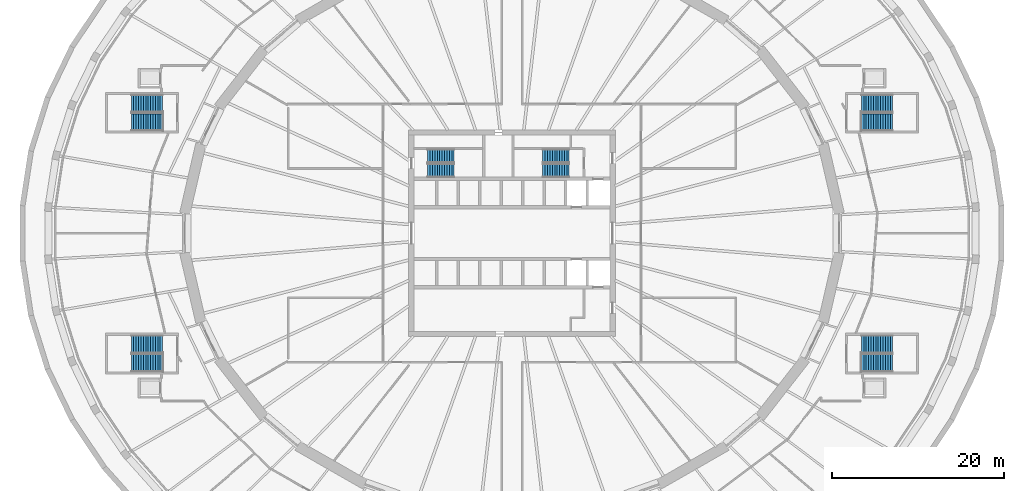
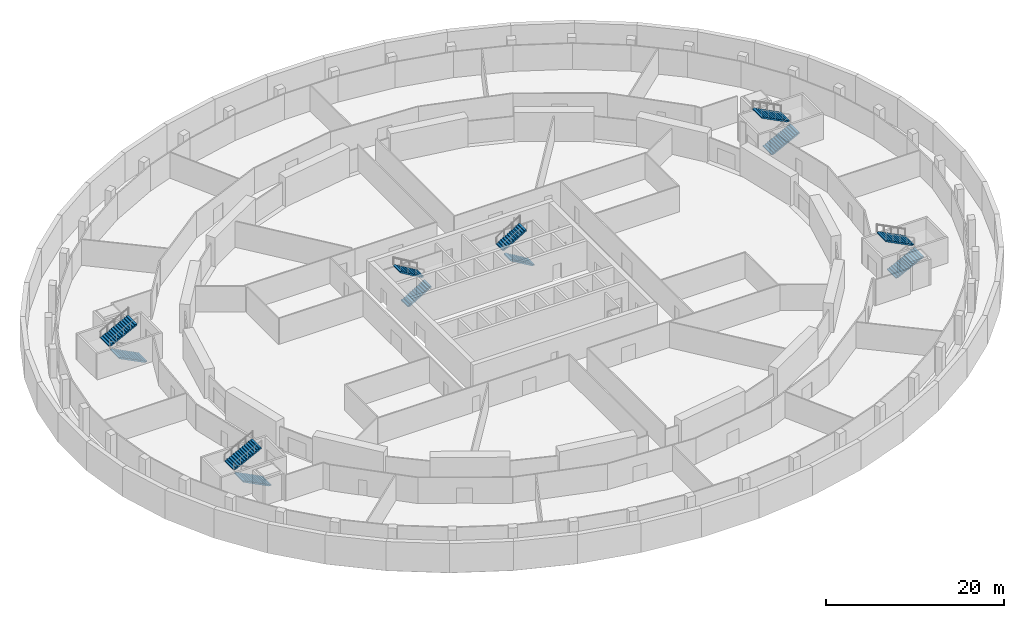
# One storey, part 12 of 14: 12 stair flights, 6 elements without a shape of their own.
"""IFC4 building model written with IfcOpenShell, lengths in metres."""

from ifc_helpers import new_model, si_unit, direction, frame, origin, place, context, subcontext, project, spatial, polyline, outline, extrude, material, type_object, element, aggregate, save


model = new_model("IFC4")

# Units and contexts
model_context = context("Model", 3, precision=1e-05, world=origin(), true_north=direction((0.0, 1.0)))
body_context = subcontext(model_context, "Body", "Model", "MODEL_VIEW")
ifc_project = project(units=[si_unit("LENGTHUNIT", "METRE"), si_unit("AREAUNIT", "SQUARE_METRE"), si_unit("VOLUMEUNIT", "CUBIC_METRE"), si_unit("PLANEANGLEUNIT", "RADIAN"), si_unit("MASSUNIT", "GRAM", prefix="KILO")], contexts=[model_context])

# Site, building, storey
site_placement = place(None, origin())
site = spatial("IfcSite", under=ifc_project, at=site_placement, CompositionType="ELEMENT")
building_placement = place(site_placement, origin())
building = spatial("IfcBuilding", under=site, at=building_placement, Name="Halqa Exchange Tower", CompositionType="ELEMENT")
storey_placement = place(building_placement, frame((0.0, 0.0, -4.0)))
storey = spatial("IfcBuildingStorey", under=building, at=storey_placement, Name="B1", CompositionType="ELEMENT", Elevation=-4.0)

# Stair, stair flights
ifc_material = material(Name="Concrete C30/37", Category="concrete")
stair_type_1 = type_object("IfcStairType", Name="Exit stair 1500 wide", PredefinedType="HALF_TURN_STAIR", material=ifc_material)
stair_1_placement = place(storey_placement, origin())
stair_1 = element("IfcStair", 1, at=stair_1_placement, inside=storey, type_object=stair_type_1, Name="Exit stair ST1", PredefinedType="HALF_TURN_STAIR")
stair_flight_type_1 = type_object("IfcStairFlightType", Name="Stair flight 1500 wide", PredefinedType="STRAIGHT", material=ifc_material)
stair_flight_1_placement = place(storey_placement, frame((-9.800048828125, 7.25, 0.0), z_axis=(0.0, 0.0, 1.0), x_axis=(1.0, 0.0, 0.0)))
stair_flight_1 = element("IfcStairFlight", 2, at=stair_flight_1_placement, type_object=stair_flight_type_1, Name="ST1 flight 1", NumberOfRisers=12, NumberOfTreads=11, PredefinedType="STRAIGHT", RiserHeight=0.166666667, TreadLength=0.28, context=body_context, shape_type="SweptSolid", body=[
    extrude(outline(polyline([(0.0, 0.0), (0.0, 0.166748046875), (0.280029296875, 0.166748046875), (0.280029296875, 0.333251953125), (0.56005859375, 0.333251953125), (0.56005859375, 0.5), (0.840087890625, 0.5), (0.840087890625, 0.666748046875), (1.1201171875, 0.666748046875), (1.1201171875, 0.833251953125), (1.39990234375, 0.833251953125), (1.39990234375, 1.0), (1.679931640625, 1.0), (1.679931640625, 1.166748046875), (1.9599609375, 1.166748046875), (1.9599609375, 1.333251953125), (2.239990234375, 1.333251953125), (2.239990234375, 1.5), (2.52001953125, 1.5), (2.52001953125, 1.666748046875), (2.800048828125, 1.666748046875), (2.800048828125, 1.833251953125), (3.080078125, 1.833251953125), (3.080078125, 2.0), (3.080078125, 1.658935546875), (0.29296875, 0.0), (0.0, 0.0)])), frame((0.0, 0.75, 0.0), z_axis=(0.0, -1.0, 0.0), x_axis=(1.0, 0.0, 0.0)), (0.0, 0.0, 1.0), 1.5),
])
stair_flight_2_placement = place(storey_placement, frame((-6.719970703125, 9.0, 2.0), z_axis=(0.0, 0.0, 1.0), x_axis=(-1.0, 0.0, 0.0)))
stair_flight_2 = element("IfcStairFlight", 3, at=stair_flight_2_placement, type_object=stair_flight_type_1, Name="ST1 flight 2", NumberOfRisers=12, NumberOfTreads=11, PredefinedType="STRAIGHT", RiserHeight=0.166666667, TreadLength=0.28, context=body_context, shape_type="SweptSolid", body=[
    extrude(outline(polyline([(0.0, 0.0), (0.0, 0.166748046875), (0.280029296875, 0.166748046875), (0.280029296875, 0.333251953125), (0.56005859375, 0.333251953125), (0.56005859375, 0.5), (0.840087890625, 0.5), (0.840087890625, 0.666748046875), (1.1201171875, 0.666748046875), (1.1201171875, 0.833251953125), (1.39990234375, 0.833251953125), (1.39990234375, 1.0), (1.679931640625, 1.0), (1.679931640625, 1.166748046875), (1.9599609375, 1.166748046875), (1.9599609375, 1.333251953125), (2.239990234375, 1.333251953125), (2.239990234375, 1.5), (2.52001953125, 1.5), (2.52001953125, 1.666748046875), (2.800048828125, 1.666748046875), (2.800048828125, 1.833251953125), (3.080078125, 1.833251953125), (3.080078125, 2.0), (3.080078125, 1.658935546875), (0.29296875, 0.0), (0.0, 0.0)])), frame((0.0, 0.75, 0.0), z_axis=(0.0, -1.0, 0.0), x_axis=(1.0, 0.0, 0.0)), (0.0, 0.0, 1.0), 1.5),
])
aggregate(stair_1, [stair_flight_1, stair_flight_2])

stair_2_placement = place(storey_placement, origin())
stair_2 = element("IfcStair", 4, at=stair_2_placement, inside=storey, type_object=stair_type_1, Name="Exit stair ST2", PredefinedType="HALF_TURN_STAIR")
stair_flight_3_placement = place(storey_placement, frame((6.64990234375, 7.25, 0.0), z_axis=(0.0, 0.0, 1.0), x_axis=(-1.0, 0.0, 0.0)))
stair_flight_3 = element("IfcStairFlight", 5, at=stair_flight_3_placement, type_object=stair_flight_type_1, Name="ST2 flight 1", NumberOfRisers=12, NumberOfTreads=11, PredefinedType="STRAIGHT", RiserHeight=0.166666667, TreadLength=0.28, context=body_context, shape_type="SweptSolid", body=[
    extrude(outline(polyline([(0.0, 0.0), (0.0, 0.166748046875), (0.280029296875, 0.166748046875), (0.280029296875, 0.333251953125), (0.56005859375, 0.333251953125), (0.56005859375, 0.5), (0.840087890625, 0.5), (0.840087890625, 0.666748046875), (1.1201171875, 0.666748046875), (1.1201171875, 0.833251953125), (1.39990234375, 0.833251953125), (1.39990234375, 1.0), (1.679931640625, 1.0), (1.679931640625, 1.166748046875), (1.9599609375, 1.166748046875), (1.9599609375, 1.333251953125), (2.239990234375, 1.333251953125), (2.239990234375, 1.5), (2.52001953125, 1.5), (2.52001953125, 1.666748046875), (2.800048828125, 1.666748046875), (2.800048828125, 1.833251953125), (3.080078125, 1.833251953125), (3.080078125, 2.0), (3.080078125, 1.658935546875), (0.29296875, 0.0), (0.0, 0.0)])), frame((0.0, 0.75, 0.0), z_axis=(0.0, -1.0, 0.0), x_axis=(1.0, 0.0, 0.0)), (0.0, 0.0, 1.0), 1.5),
])
stair_flight_4_placement = place(storey_placement, frame((3.570068359375, 9.0, 2.0), z_axis=(0.0, 0.0, 1.0), x_axis=(1.0, 0.0, 0.0)))
stair_flight_4 = element("IfcStairFlight", 6, at=stair_flight_4_placement, type_object=stair_flight_type_1, Name="ST2 flight 2", NumberOfRisers=12, NumberOfTreads=11, PredefinedType="STRAIGHT", RiserHeight=0.166666667, TreadLength=0.28, context=body_context, shape_type="SweptSolid", body=[
    extrude(outline(polyline([(0.0, 0.0), (0.0, 0.166748046875), (0.280029296875, 0.166748046875), (0.280029296875, 0.333251953125), (0.56005859375, 0.333251953125), (0.56005859375, 0.5), (0.840087890625, 0.5), (0.840087890625, 0.666748046875), (1.1201171875, 0.666748046875), (1.1201171875, 0.833251953125), (1.39990234375, 0.833251953125), (1.39990234375, 1.0), (1.679931640625, 1.0), (1.679931640625, 1.166748046875), (1.9599609375, 1.166748046875), (1.9599609375, 1.333251953125), (2.239990234375, 1.333251953125), (2.239990234375, 1.5), (2.52001953125, 1.5), (2.52001953125, 1.666748046875), (2.800048828125, 1.666748046875), (2.800048828125, 1.833251953125), (3.080078125, 1.833251953125), (3.080078125, 2.0), (3.080078125, 1.658935546875), (0.29296875, 0.0), (0.0, 0.0)])), frame((0.0, 0.75, 0.0), z_axis=(0.0, -1.0, 0.0), x_axis=(1.0, 0.0, 0.0)), (0.0, 0.0, 1.0), 1.5),
])
aggregate(stair_2, [stair_flight_3, stair_flight_4])

stair_type_2 = type_object("IfcStairType", Name="Exit stair 2000 wide", PredefinedType="HALF_TURN_STAIR", material=ifc_material)
stair_3_placement = place(storey_placement, origin())
stair_3 = element("IfcStair", 7, at=stair_3_placement, inside=storey, type_object=stair_type_2, Name="Exit stair SS1", PredefinedType="HALF_TURN_STAIR")
stair_flight_type_2 = type_object("IfcStairFlightType", Name="Stair flight 2000 wide", PredefinedType="STRAIGHT", material=ifc_material)
stair_flight_5_placement = place(storey_placement, frame((40.60009765625, 12.875, 0.0), z_axis=(0.0, 0.0, 1.0), x_axis=(1.0, 0.0, 0.0)))
stair_flight_5 = element("IfcStairFlight", 8, at=stair_flight_5_placement, type_object=stair_flight_type_2, Name="SS1 flight 1", NumberOfRisers=14, NumberOfTreads=13, PredefinedType="STRAIGHT", RiserHeight=0.142857143, TreadLength=0.28, context=body_context, shape_type="SweptSolid", body=[
    extrude(outline(polyline([(0.0, 0.0), (0.0, 0.142822265625), (0.280029296875, 0.142822265625), (0.280029296875, 0.28564453125), (0.56005859375, 0.28564453125), (0.56005859375, 0.428466796875), (0.840087890625, 0.428466796875), (0.840087890625, 0.571533203125), (1.1201171875, 0.571533203125), (1.1201171875, 0.71435546875), (1.39990234375, 0.71435546875), (1.39990234375, 0.857177734375), (1.679931640625, 0.857177734375), (1.679931640625, 1.0), (1.9599609375, 1.0), (1.9599609375, 1.142822265625), (2.239990234375, 1.142822265625), (2.239990234375, 1.28564453125), (2.52001953125, 1.28564453125), (2.52001953125, 1.428466796875), (2.800048828125, 1.428466796875), (2.800048828125, 1.571533203125), (3.080078125, 1.571533203125), (3.080078125, 1.71435546875), (3.360107421875, 1.71435546875), (3.360107421875, 1.857177734375), (3.639892578125, 1.857177734375), (3.639892578125, 2.0), (3.639892578125, 1.68896484375), (0.329833984375, 0.0), (0.0, 0.0)])), frame((0.0, 1.0, 0.0), z_axis=(0.0, -1.0, 0.0), x_axis=(1.0, 0.0, 0.0)), (0.0, 0.0, 1.0), 2.0),
])
stair_flight_6_placement = place(storey_placement, frame((44.239990234375, 15.125, 2.0), z_axis=(0.0, 0.0, 1.0), x_axis=(-1.0, 0.0, 0.0)))
stair_flight_6 = element("IfcStairFlight", 9, at=stair_flight_6_placement, type_object=stair_flight_type_2, Name="SS1 flight 2", NumberOfRisers=14, NumberOfTreads=13, PredefinedType="STRAIGHT", RiserHeight=0.142857143, TreadLength=0.28, context=body_context, shape_type="SweptSolid", body=[
    extrude(outline(polyline([(0.0, 0.0), (0.0, 0.142822265625), (0.280029296875, 0.142822265625), (0.280029296875, 0.28564453125), (0.56005859375, 0.28564453125), (0.56005859375, 0.428466796875), (0.840087890625, 0.428466796875), (0.840087890625, 0.571533203125), (1.1201171875, 0.571533203125), (1.1201171875, 0.71435546875), (1.39990234375, 0.71435546875), (1.39990234375, 0.857177734375), (1.679931640625, 0.857177734375), (1.679931640625, 1.0), (1.9599609375, 1.0), (1.9599609375, 1.142822265625), (2.239990234375, 1.142822265625), (2.239990234375, 1.28564453125), (2.52001953125, 1.28564453125), (2.52001953125, 1.428466796875), (2.800048828125, 1.428466796875), (2.800048828125, 1.571533203125), (3.080078125, 1.571533203125), (3.080078125, 1.71435546875), (3.360107421875, 1.71435546875), (3.360107421875, 1.857177734375), (3.639892578125, 1.857177734375), (3.639892578125, 2.0), (3.639892578125, 1.68896484375), (0.329833984375, 0.0), (0.0, 0.0)])), frame((0.0, 1.0, 0.0), z_axis=(0.0, -1.0, 0.0), x_axis=(1.0, 0.0, 0.0)), (0.0, 0.0, 1.0), 2.0),
])
aggregate(stair_3, [stair_flight_5, stair_flight_6])

stair_4_placement = place(storey_placement, origin())
stair_4 = element("IfcStair", 10, at=stair_4_placement, inside=storey, type_object=stair_type_2, Name="Exit stair SS2", PredefinedType="HALF_TURN_STAIR")
stair_flight_7_placement = place(storey_placement, frame((40.60009765625, -15.125, 0.0), z_axis=(0.0, 0.0, 1.0), x_axis=(1.0, 0.0, 0.0)))
stair_flight_7 = element("IfcStairFlight", 11, at=stair_flight_7_placement, type_object=stair_flight_type_2, Name="SS2 flight 1", NumberOfRisers=14, NumberOfTreads=13, PredefinedType="STRAIGHT", RiserHeight=0.142857143, TreadLength=0.28, context=body_context, shape_type="SweptSolid", body=[
    extrude(outline(polyline([(0.0, 0.0), (0.0, 0.142822265625), (0.280029296875, 0.142822265625), (0.280029296875, 0.28564453125), (0.56005859375, 0.28564453125), (0.56005859375, 0.428466796875), (0.840087890625, 0.428466796875), (0.840087890625, 0.571533203125), (1.1201171875, 0.571533203125), (1.1201171875, 0.71435546875), (1.39990234375, 0.71435546875), (1.39990234375, 0.857177734375), (1.679931640625, 0.857177734375), (1.679931640625, 1.0), (1.9599609375, 1.0), (1.9599609375, 1.142822265625), (2.239990234375, 1.142822265625), (2.239990234375, 1.28564453125), (2.52001953125, 1.28564453125), (2.52001953125, 1.428466796875), (2.800048828125, 1.428466796875), (2.800048828125, 1.571533203125), (3.080078125, 1.571533203125), (3.080078125, 1.71435546875), (3.360107421875, 1.71435546875), (3.360107421875, 1.857177734375), (3.639892578125, 1.857177734375), (3.639892578125, 2.0), (3.639892578125, 1.68896484375), (0.329833984375, 0.0), (0.0, 0.0)])), frame((0.0, 1.0, 0.0), z_axis=(0.0, -1.0, 0.0), x_axis=(1.0, 0.0, 0.0)), (0.0, 0.0, 1.0), 2.0),
])
stair_flight_8_placement = place(storey_placement, frame((44.239990234375, -12.875, 2.0), z_axis=(0.0, 0.0, 1.0), x_axis=(-1.0, 0.0, 0.0)))
stair_flight_8 = element("IfcStairFlight", 12, at=stair_flight_8_placement, type_object=stair_flight_type_2, Name="SS2 flight 2", NumberOfRisers=14, NumberOfTreads=13, PredefinedType="STRAIGHT", RiserHeight=0.142857143, TreadLength=0.28, context=body_context, shape_type="SweptSolid", body=[
    extrude(outline(polyline([(0.0, 0.0), (0.0, 0.142822265625), (0.280029296875, 0.142822265625), (0.280029296875, 0.28564453125), (0.56005859375, 0.28564453125), (0.56005859375, 0.428466796875), (0.840087890625, 0.428466796875), (0.840087890625, 0.571533203125), (1.1201171875, 0.571533203125), (1.1201171875, 0.71435546875), (1.39990234375, 0.71435546875), (1.39990234375, 0.857177734375), (1.679931640625, 0.857177734375), (1.679931640625, 1.0), (1.9599609375, 1.0), (1.9599609375, 1.142822265625), (2.239990234375, 1.142822265625), (2.239990234375, 1.28564453125), (2.52001953125, 1.28564453125), (2.52001953125, 1.428466796875), (2.800048828125, 1.428466796875), (2.800048828125, 1.571533203125), (3.080078125, 1.571533203125), (3.080078125, 1.71435546875), (3.360107421875, 1.71435546875), (3.360107421875, 1.857177734375), (3.639892578125, 1.857177734375), (3.639892578125, 2.0), (3.639892578125, 1.68896484375), (0.329833984375, 0.0), (0.0, 0.0)])), frame((0.0, 1.0, 0.0), z_axis=(0.0, -1.0, 0.0), x_axis=(1.0, 0.0, 0.0)), (0.0, 0.0, 1.0), 2.0),
])
aggregate(stair_4, [stair_flight_7, stair_flight_8])

stair_5_placement = place(storey_placement, origin())
stair_5 = element("IfcStair", 13, at=stair_5_placement, inside=storey, type_object=stair_type_2, Name="Exit stair SS3", PredefinedType="HALF_TURN_STAIR")
stair_flight_9_placement = place(storey_placement, frame((-40.60009765625, 12.875, 0.0), z_axis=(0.0, 0.0, 1.0), x_axis=(-1.0, 0.0, 0.0)))
stair_flight_9 = element("IfcStairFlight", 14, at=stair_flight_9_placement, type_object=stair_flight_type_2, Name="SS3 flight 1", NumberOfRisers=14, NumberOfTreads=13, PredefinedType="STRAIGHT", RiserHeight=0.142857143, TreadLength=0.28, context=body_context, shape_type="SweptSolid", body=[
    extrude(outline(polyline([(0.0, 0.0), (0.0, 0.142822265625), (0.280029296875, 0.142822265625), (0.280029296875, 0.28564453125), (0.56005859375, 0.28564453125), (0.56005859375, 0.428466796875), (0.840087890625, 0.428466796875), (0.840087890625, 0.571533203125), (1.1201171875, 0.571533203125), (1.1201171875, 0.71435546875), (1.39990234375, 0.71435546875), (1.39990234375, 0.857177734375), (1.679931640625, 0.857177734375), (1.679931640625, 1.0), (1.9599609375, 1.0), (1.9599609375, 1.142822265625), (2.239990234375, 1.142822265625), (2.239990234375, 1.28564453125), (2.52001953125, 1.28564453125), (2.52001953125, 1.428466796875), (2.800048828125, 1.428466796875), (2.800048828125, 1.571533203125), (3.080078125, 1.571533203125), (3.080078125, 1.71435546875), (3.360107421875, 1.71435546875), (3.360107421875, 1.857177734375), (3.639892578125, 1.857177734375), (3.639892578125, 2.0), (3.639892578125, 1.68896484375), (0.329833984375, 0.0), (0.0, 0.0)])), frame((0.0, 1.0, 0.0), z_axis=(0.0, -1.0, 0.0), x_axis=(1.0, 0.0, 0.0)), (0.0, 0.0, 1.0), 2.0),
])
stair_flight_10_placement = place(storey_placement, frame((-44.239990234375, 15.125, 2.0), z_axis=(0.0, 0.0, 1.0), x_axis=(1.0, 0.0, 0.0)))
stair_flight_10 = element("IfcStairFlight", 15, at=stair_flight_10_placement, type_object=stair_flight_type_2, Name="SS3 flight 2", NumberOfRisers=14, NumberOfTreads=13, PredefinedType="STRAIGHT", RiserHeight=0.142857143, TreadLength=0.28, context=body_context, shape_type="SweptSolid", body=[
    extrude(outline(polyline([(0.0, 0.0), (0.0, 0.142822265625), (0.280029296875, 0.142822265625), (0.280029296875, 0.28564453125), (0.56005859375, 0.28564453125), (0.56005859375, 0.428466796875), (0.840087890625, 0.428466796875), (0.840087890625, 0.571533203125), (1.1201171875, 0.571533203125), (1.1201171875, 0.71435546875), (1.39990234375, 0.71435546875), (1.39990234375, 0.857177734375), (1.679931640625, 0.857177734375), (1.679931640625, 1.0), (1.9599609375, 1.0), (1.9599609375, 1.142822265625), (2.239990234375, 1.142822265625), (2.239990234375, 1.28564453125), (2.52001953125, 1.28564453125), (2.52001953125, 1.428466796875), (2.800048828125, 1.428466796875), (2.800048828125, 1.571533203125), (3.080078125, 1.571533203125), (3.080078125, 1.71435546875), (3.360107421875, 1.71435546875), (3.360107421875, 1.857177734375), (3.639892578125, 1.857177734375), (3.639892578125, 2.0), (3.639892578125, 1.68896484375), (0.329833984375, 0.0), (0.0, 0.0)])), frame((0.0, 1.0, 0.0), z_axis=(0.0, -1.0, 0.0), x_axis=(1.0, 0.0, 0.0)), (0.0, 0.0, 1.0), 2.0),
])
aggregate(stair_5, [stair_flight_9, stair_flight_10])

stair_6_placement = place(storey_placement, origin())
stair_6 = element("IfcStair", 16, at=stair_6_placement, inside=storey, type_object=stair_type_2, Name="Exit stair SS4", PredefinedType="HALF_TURN_STAIR")
stair_flight_11_placement = place(storey_placement, frame((-40.60009765625, -15.125, 0.0), z_axis=(0.0, 0.0, 1.0), x_axis=(-1.0, 0.0, 0.0)))
stair_flight_11 = element("IfcStairFlight", 17, at=stair_flight_11_placement, type_object=stair_flight_type_2, Name="SS4 flight 1", NumberOfRisers=14, NumberOfTreads=13, PredefinedType="STRAIGHT", RiserHeight=0.142857143, TreadLength=0.28, context=body_context, shape_type="SweptSolid", body=[
    extrude(outline(polyline([(0.0, 0.0), (0.0, 0.142822265625), (0.280029296875, 0.142822265625), (0.280029296875, 0.28564453125), (0.56005859375, 0.28564453125), (0.56005859375, 0.428466796875), (0.840087890625, 0.428466796875), (0.840087890625, 0.571533203125), (1.1201171875, 0.571533203125), (1.1201171875, 0.71435546875), (1.39990234375, 0.71435546875), (1.39990234375, 0.857177734375), (1.679931640625, 0.857177734375), (1.679931640625, 1.0), (1.9599609375, 1.0), (1.9599609375, 1.142822265625), (2.239990234375, 1.142822265625), (2.239990234375, 1.28564453125), (2.52001953125, 1.28564453125), (2.52001953125, 1.428466796875), (2.800048828125, 1.428466796875), (2.800048828125, 1.571533203125), (3.080078125, 1.571533203125), (3.080078125, 1.71435546875), (3.360107421875, 1.71435546875), (3.360107421875, 1.857177734375), (3.639892578125, 1.857177734375), (3.639892578125, 2.0), (3.639892578125, 1.68896484375), (0.329833984375, 0.0), (0.0, 0.0)])), frame((0.0, 1.0, 0.0), z_axis=(0.0, -1.0, 0.0), x_axis=(1.0, 0.0, 0.0)), (0.0, 0.0, 1.0), 2.0),
])
stair_flight_12_placement = place(storey_placement, frame((-44.239990234375, -12.875, 2.0), z_axis=(0.0, 0.0, 1.0), x_axis=(1.0, 0.0, 0.0)))
stair_flight_12 = element("IfcStairFlight", 18, at=stair_flight_12_placement, type_object=stair_flight_type_2, Name="SS4 flight 2", NumberOfRisers=14, NumberOfTreads=13, PredefinedType="STRAIGHT", RiserHeight=0.142857143, TreadLength=0.28, context=body_context, shape_type="SweptSolid", body=[
    extrude(outline(polyline([(0.0, 0.0), (0.0, 0.142822265625), (0.280029296875, 0.142822265625), (0.280029296875, 0.28564453125), (0.56005859375, 0.28564453125), (0.56005859375, 0.428466796875), (0.840087890625, 0.428466796875), (0.840087890625, 0.571533203125), (1.1201171875, 0.571533203125), (1.1201171875, 0.71435546875), (1.39990234375, 0.71435546875), (1.39990234375, 0.857177734375), (1.679931640625, 0.857177734375), (1.679931640625, 1.0), (1.9599609375, 1.0), (1.9599609375, 1.142822265625), (2.239990234375, 1.142822265625), (2.239990234375, 1.28564453125), (2.52001953125, 1.28564453125), (2.52001953125, 1.428466796875), (2.800048828125, 1.428466796875), (2.800048828125, 1.571533203125), (3.080078125, 1.571533203125), (3.080078125, 1.71435546875), (3.360107421875, 1.71435546875), (3.360107421875, 1.857177734375), (3.639892578125, 1.857177734375), (3.639892578125, 2.0), (3.639892578125, 1.68896484375), (0.329833984375, 0.0), (0.0, 0.0)])), frame((0.0, 1.0, 0.0), z_axis=(0.0, -1.0, 0.0), x_axis=(1.0, 0.0, 0.0)), (0.0, 0.0, 1.0), 2.0),
])
aggregate(stair_6, [stair_flight_11, stair_flight_12])

save(model, "model.ifc")
